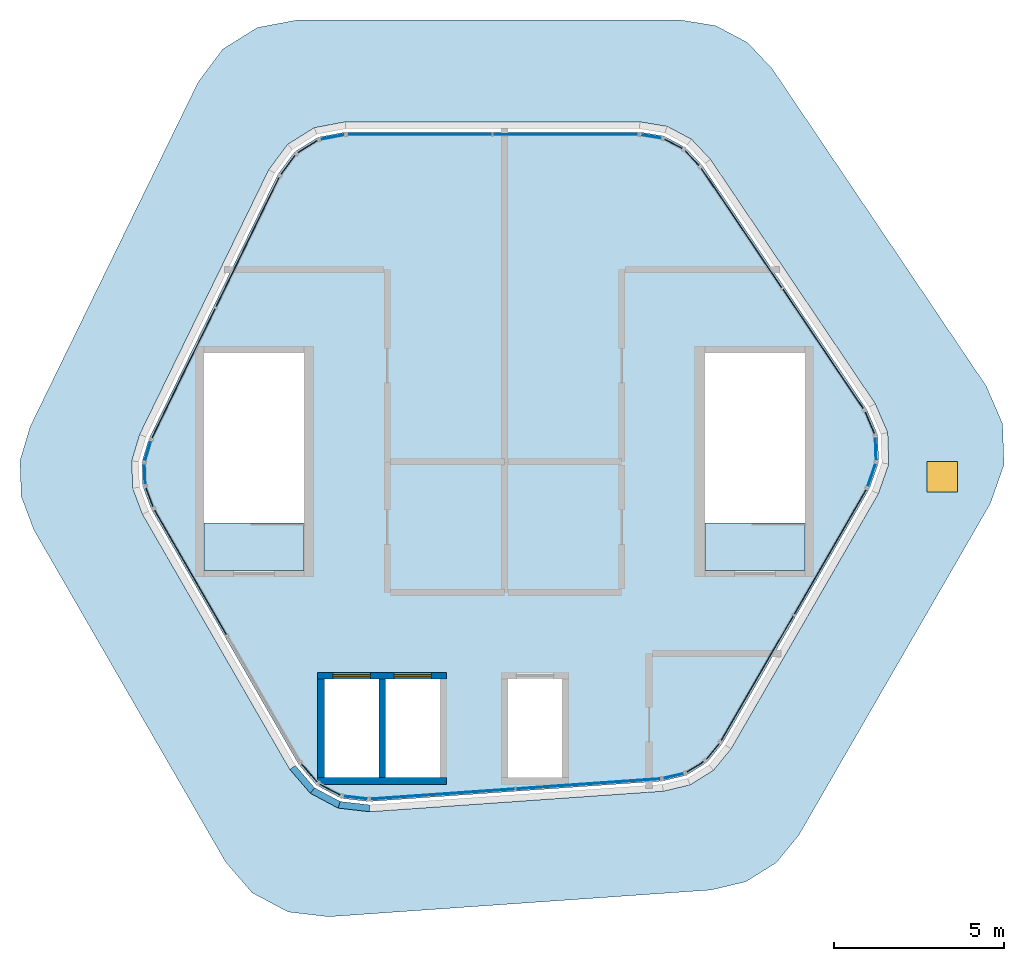
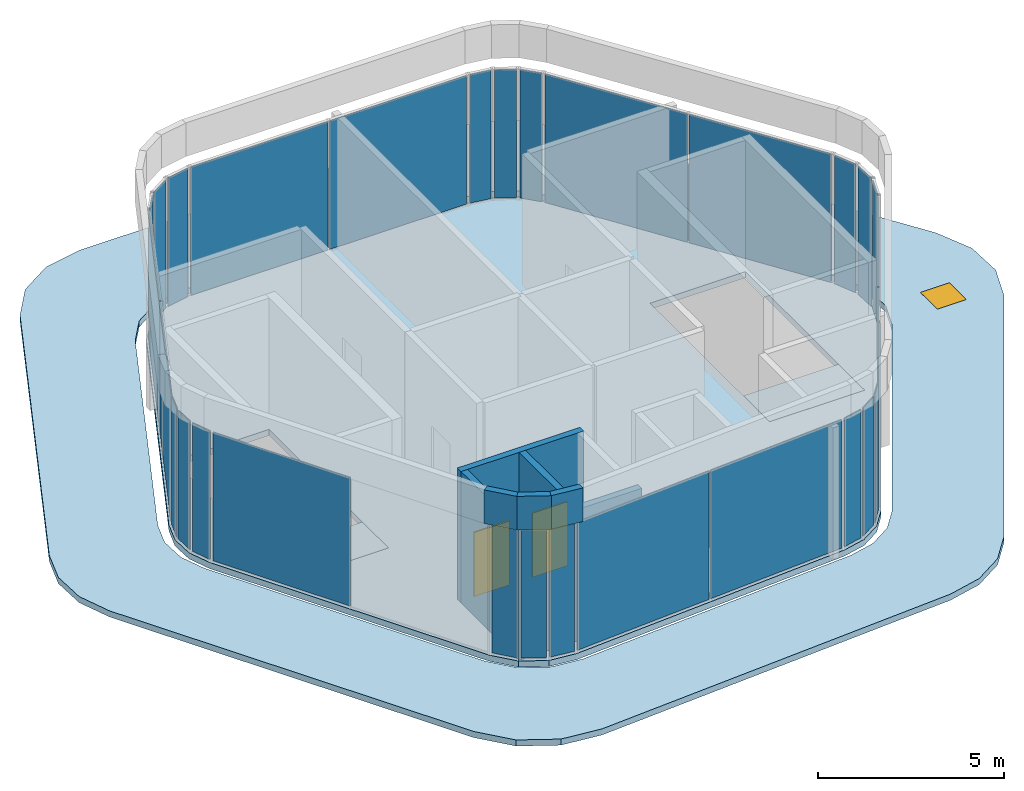
"""IFC4 building model written with IfcOpenShell, lengths in metres."""

from ifc_helpers import new_model, si_unit, direction, frame, frame_2d, origin, origin_2d, place, context, subcontext, project, spatial, polyline, rectangle, outline, extrude, material, layer, layer_set, type_object, element, fill, aggregate, save


model = new_model("IFC4")

# Units and contexts
model_context = context("Model", 3, precision=1e-05, world=origin(), true_north=direction((0.0, 1.0)))
body_context = subcontext(model_context, "Body", "Model", "MODEL_VIEW")
ifc_project = project(units=[si_unit("LENGTHUNIT", "METRE"), si_unit("AREAUNIT", "SQUARE_METRE"), si_unit("VOLUMEUNIT", "CUBIC_METRE"), si_unit("PLANEANGLEUNIT", "RADIAN"), si_unit("MASSUNIT", "GRAM", prefix="KILO")], contexts=[model_context])

# Site, building, storey
site_placement = place(None, origin())
site = spatial("IfcSite", under=ifc_project, at=site_placement, CompositionType="ELEMENT")
building_placement = place(site_placement, origin())
building = spatial("IfcBuilding", under=site, at=building_placement, Name="Tarnside Tower", CompositionType="ELEMENT")
storey_1_placement = place(building_placement, frame((0.0, 0.0, 406.199951171875)))
storey_1 = spatial("IfcBuildingStorey", under=building, at=storey_1_placement, Name="L96", CompositionType="ELEMENT", Elevation=406.199951171875)

# Slabs
ifc_material_1 = material(Name="Concrete C35/45", Category="concrete")
ifc_layer_1 = layer(ifc_material_1, 0.199951171875)
ifc_layer_set_1 = layer_set([ifc_layer_1], Name="Composite floor slab 200")
slab_type_1 = type_object("IfcSlabType", Name="Composite floor slab 200", PredefinedType="FLOOR", material=ifc_layer_set_1)
slab_1_placement = place(storey_1_placement, frame((0.0, 0.0, -0.199951171875)))
element("IfcSlab", 1, at=slab_1_placement, inside=storey_1, type_object=slab_type_1, Name="Floor slab L96", PredefinedType="FLOOR", context=body_context, shape_type="SweptSolid", body=[
    extrude(outline(polyline([(4.69189453125, 9.584228515625), (5.322021484375, 9.249267578125), (5.811767578125, 8.730224609375), (10.662353515625, 1.538818359375), (10.98486328125, 0.791015625), (11.01318359375, -0.02294921875), (10.74365234375, -0.79150390625), (6.406494140625, -8.3037109375), (5.9541015625, -8.85546875), (5.34912109375, -9.233642578125), (4.65478515625, -9.398193359375), (-3.99853515625, -10.00341796875), (-4.807373046875, -9.90869140625), (-5.526611328125, -9.5263671875), (-6.05712890625, -8.90869140625), (-10.394287109375, -1.396484375), (-10.646240234375, -0.728759765625), (-10.671142578125, -0.015625), (-10.46630859375, 0.66796875), (-6.663818359375, 8.46435546875), (-6.177490234375, 9.11767578125), (-5.48681640625, 9.54931640625), (-4.6865234375, 9.699951171875), (3.98779296875, 9.699951171875), (4.69189453125, 9.584228515625)]), holes=[polyline([(-5.300048828125, -6.39990234375), (-5.300048828125, -9.300048828125), (-3.699951171875, -9.300048828125), (-3.699951171875, -6.39990234375), (-5.300048828125, -6.39990234375)]), polyline([(-3.5, -6.39990234375), (-3.5, -9.300048828125), (-1.89990234375, -9.300048828125), (-1.89990234375, -6.39990234375), (-3.5, -6.39990234375)]), polyline([(0.10009765625, -6.39990234375), (0.10009765625, -9.300048828125), (1.699951171875, -9.300048828125), (1.699951171875, -6.39990234375), (0.10009765625, -6.39990234375)]), polyline([(-5.89990234375, 3.199951171875), (-8.85009765625, 3.199951171875), (-8.85009765625, -3.199951171875), (-5.89990234375, -3.199951171875), (-5.89990234375, 3.199951171875)]), polyline([(8.85009765625, 3.199951171875), (5.89990234375, 3.199951171875), (5.89990234375, -3.199951171875), (8.85009765625, -3.199951171875), (8.85009765625, 3.199951171875)])]), origin(), (0.0, 0.0, 1.0), 0.199951171875),
])
ifc_material_2 = material(Name="Concrete C40/50", Category="concrete")
ifc_layer_2 = layer(ifc_material_2, 0.199951171875)
ifc_layer_set_2 = layer_set([ifc_layer_2], Name="Core crown slab C40/50")
slab_type_2 = type_object("IfcSlabType", Name="Core crown slab C40/50", PredefinedType="FLOOR", material=ifc_layer_set_2)
slab_2_placement = place(storey_1_placement, frame((0.0, 0.0, -0.199951171875)))
element("IfcSlab", 2, at=slab_2_placement, inside=storey_1, type_object=slab_type_2, Name="L96 core floor slab 1", PredefinedType="FLOOR", context=body_context, shape_type="SweptSolid", body=[
    extrude(outline(polyline([(8.85009765625, -3.199951171875), (5.89990234375, -3.199951171875), (5.89990234375, 3.199951171875), (5.89990234375, 3.199951171875), (5.89990234375, -1.800048828125), (8.85009765625, -1.800048828125), (8.85009765625, -3.199951171875)])), origin(), (0.0, 0.0, 1.0), 0.199951171875),
])
slab_3_placement = place(storey_1_placement, frame((0.0, 0.0, -0.199951171875)))
element("IfcSlab", 3, at=slab_3_placement, inside=storey_1, type_object=slab_type_2, Name="L96 core floor slab 2", PredefinedType="FLOOR", context=body_context, shape_type="SweptSolid", body=[
    extrude(outline(polyline([(-5.89990234375, -3.199951171875), (-8.85009765625, -3.199951171875), (-8.85009765625, -1.800048828125), (-5.89990234375, -1.800048828125), (-5.89990234375, -3.199951171875)])), origin(), (0.0, 0.0, 1.0), 0.199951171875),
])

# Curtain wall, plate
ifc_material_3 = material(Name="Crown glazing wall", Category="glass")
curtain_wall_type = type_object("IfcCurtainWallType", Name="Crown glazing wall", PredefinedType="NOTDEFINED", material=ifc_material_3)
curtain_wall_1_placement = place(storey_1_placement, origin())
curtain_wall_1 = element("IfcCurtainWall", 4, at=curtain_wall_1_placement, inside=storey_1, type_object=curtain_wall_type, Name="Crown glazing L96 01", PredefinedType="NOTDEFINED")
ifc_material_4 = material(Name="Low-iron safety glass", Category="glass")
ifc_layer_3 = layer(ifc_material_4, 0.028076171875)
ifc_layer_set_3 = layer_set([ifc_layer_3], Name="Crown glazing panel 28")
plate_type_1 = type_object("IfcPlateType", Name="Crown glazing panel 28", PredefinedType="CURTAIN_PANEL", material=ifc_layer_set_3)
plate_1_placement = place(storey_1_placement, frame((4.3193359375, 9.572509765625, 0.05029296875), z_axis=(0.0, 0.0, 1.0), x_axis=(0.986761532213, -0.162177922497, 0.0)))
plate_1 = element("IfcPlate", 5, at=plate_1_placement, type_object=plate_type_1, Name="CW6 panel 1.1", PredefinedType="CURTAIN_PANEL", context=body_context, shape_type="SweptSolid", body=[
    extrude(rectangle(XDim=0.608154296875, YDim=0.028076171875, at=origin_2d()), origin(), (0.0, 0.0, 1.0), 4.199951171875),
])
aggregate(curtain_wall_1, [plate_1])

curtain_wall_2_placement = place(storey_1_placement, origin())
curtain_wall_2 = element("IfcCurtainWall", 6, at=curtain_wall_2_placement, inside=storey_1, type_object=curtain_wall_type, Name="Crown glazing L96 02", PredefinedType="NOTDEFINED")
plate_2_placement = place(storey_1_placement, frame((4.97314453125, 9.353271484375, 0.05029296875), z_axis=(0.0, 0.0, 1.0), x_axis=(0.88294759249, -0.469471563479, 0.0)))
plate_2 = element("IfcPlate", 7, at=plate_2_placement, type_object=plate_type_1, Name="CW6 panel 1.1", PredefinedType="CURTAIN_PANEL", context=body_context, shape_type="SweptSolid", body=[
    extrude(rectangle(XDim=0.58984375, YDim=0.028076171875, at=origin_2d()), origin(), (0.0, 0.0, 1.0), 4.199951171875),
])
aggregate(curtain_wall_2, [plate_2])

curtain_wall_3_placement = place(storey_1_placement, origin())
curtain_wall_3 = element("IfcCurtainWall", 8, at=curtain_wall_3_placement, inside=storey_1, type_object=curtain_wall_type, Name="Crown glazing L96 03", PredefinedType="NOTDEFINED")
plate_3_placement = place(storey_1_placement, frame((5.520751953125, 8.933837890625, 0.05029296875), z_axis=(0.0, 0.0, 1.0), x_axis=(0.686241638283, -0.727373641182, 0.0)))
plate_3 = element("IfcPlate", 9, at=plate_3_placement, type_object=plate_type_1, Name="CW6 panel 1.1", PredefinedType="CURTAIN_PANEL", context=body_context, shape_type="SweptSolid", body=[
    extrude(rectangle(XDim=0.608154296875, YDim=0.028076171875, at=origin_2d()), origin(), (0.0, 0.0, 1.0), 4.199951171875),
])
aggregate(curtain_wall_3, [plate_3])

curtain_wall_4_placement = place(storey_1_placement, origin())
curtain_wall_4 = element("IfcCurtainWall", 10, at=curtain_wall_4_placement, inside=storey_1, type_object=curtain_wall_type, Name="Crown glazing L96 05", PredefinedType="NOTDEFINED")
plate_4_placement = place(storey_1_placement, frame((10.7529296875, 1.145751953125, 0.05029296875), z_axis=(0.0, 0.0, 1.0), x_axis=(0.396079765761, -0.918216107, 0.0)))
plate_4 = element("IfcPlate", 11, at=plate_4_placement, type_object=plate_type_1, Name="CW6 panel 1.1", PredefinedType="CURTAIN_PANEL", context=body_context, shape_type="SweptSolid", body=[
    extrude(rectangle(XDim=0.7080078125, YDim=0.028076171875, at=origin_2d()), origin(), (0.0, 0.0, 1.0), 4.199951171875),
])
aggregate(curtain_wall_4, [plate_4])

curtain_wall_5_placement = place(storey_1_placement, origin())
curtain_wall_5 = element("IfcCurtainWall", 12, at=curtain_wall_5_placement, inside=storey_1, type_object=curtain_wall_type, Name="Crown glazing L96 06", PredefinedType="NOTDEFINED")
plate_5_placement = place(storey_1_placement, frame((10.926513671875, 0.381591796875, 0.05029296875), z_axis=(0.0, 0.0, 1.0), x_axis=(0.034899496092, -0.99939082704, 0.0)))
plate_5 = element("IfcPlate", 13, at=plate_5_placement, type_object=plate_type_1, Name="CW6 panel 1.1", PredefinedType="CURTAIN_PANEL", context=body_context, shape_type="SweptSolid", body=[
    extrude(rectangle(XDim=0.68701171875, YDim=0.028076171875, at=origin_2d()), origin(), (0.0, 0.0, 1.0), 4.199951171875),
])
aggregate(curtain_wall_5, [plate_5])

curtain_wall_6_placement = place(storey_1_placement, origin())
curtain_wall_6 = element("IfcCurtainWall", 14, at=curtain_wall_6_placement, inside=storey_1, type_object=curtain_wall_type, Name="Crown glazing L96 07", PredefinedType="NOTDEFINED")
plate_6_placement = place(storey_1_placement, frame((10.806640625, -0.392822265625, 0.05029296875), z_axis=(0.0, 0.0, 1.0), x_axis=(-0.331063417418, -0.943608506557, 0.0)))
plate_6 = element("IfcPlate", 15, at=plate_6_placement, type_object=plate_type_1, Name="CW6 panel 1.1", PredefinedType="CURTAIN_PANEL", context=body_context, shape_type="SweptSolid", body=[
    extrude(rectangle(XDim=0.7080078125, YDim=0.028076171875, at=origin_2d()), origin(), (0.0, 0.0, 1.0), 4.199951171875),
])
aggregate(curtain_wall_6, [plate_6])

curtain_wall_7_placement = place(storey_1_placement, origin())
curtain_wall_7 = element("IfcCurtainWall", 16, at=curtain_wall_7_placement, inside=storey_1, type_object=curtain_wall_type, Name="Crown glazing L96 09", PredefinedType="NOTDEFINED")
plate_7_placement = place(storey_1_placement, frame((6.13037109375, -8.52685546875, 0.05029296875), z_axis=(0.0, 0.0, 1.0), x_axis=(-0.633830967124, -0.773471592959, 0.0)))
plate_7 = element("IfcPlate", 17, at=plate_7_placement, type_object=plate_type_1, Name="CW6 panel 1.1", PredefinedType="CURTAIN_PANEL", context=body_context, shape_type="SweptSolid", body=[
    extrude(rectangle(XDim=0.608154296875, YDim=0.028076171875, at=origin_2d()), origin(), (0.0, 0.0, 1.0), 4.199951171875),
])
aggregate(curtain_wall_7, [plate_7])

curtain_wall_8_placement = place(storey_1_placement, origin())
curtain_wall_8 = element("IfcCurtainWall", 18, at=curtain_wall_8_placement, inside=storey_1, type_object=curtain_wall_type, Name="Crown glazing L96 10", PredefinedType="NOTDEFINED")
plate_8_placement = place(storey_1_placement, frame((5.613525390625, -8.9833984375, 0.05029296875), z_axis=(0.0, 0.0, 1.0), x_axis=(-0.848048096175, -0.529919264204, 0.0)))
plate_8 = element("IfcPlate", 19, at=plate_8_placement, type_object=plate_type_1, Name="CW6 panel 1.1", PredefinedType="CURTAIN_PANEL", context=body_context, shape_type="SweptSolid", body=[
    extrude(rectangle(XDim=0.58984375, YDim=0.028076171875, at=origin_2d()), origin(), (0.0, 0.0, 1.0), 4.199951171875),
])
aggregate(curtain_wall_8, [plate_8])

curtain_wall_9_placement = place(storey_1_placement, origin())
curtain_wall_9 = element("IfcCurtainWall", 20, at=curtain_wall_9_placement, inside=storey_1, type_object=curtain_wall_type, Name="Crown glazing L96 11", PredefinedType="NOTDEFINED")
plate_9_placement = place(storey_1_placement, frame((4.9765625, -9.248046875, 0.05029296875), z_axis=(0.0, 0.0, 1.0), x_axis=(-0.97304487073, -0.230615870108, 0.0)))
plate_9 = element("IfcPlate", 21, at=plate_9_placement, type_object=plate_type_1, Name="CW6 panel 1.1", PredefinedType="CURTAIN_PANEL", context=body_context, shape_type="SweptSolid", body=[
    extrude(rectangle(XDim=0.608154296875, YDim=0.028076171875, at=origin_2d()), origin(), (0.0, 0.0, 1.0), 4.199951171875),
])
aggregate(curtain_wall_9, [plate_9])

curtain_wall_10_placement = place(storey_1_placement, origin())
curtain_wall_10 = element("IfcCurtainWall", 22, at=curtain_wall_10_placement, inside=storey_1, type_object=curtain_wall_type, Name="Crown glazing L96 13", PredefinedType="NOTDEFINED")
plate_10_placement = place(storey_1_placement, frame((-4.384033203125, -9.885009765625, 0.05029296875), z_axis=(0.0, 0.0, 1.0), x_axis=(-0.993238357729, 0.116092914235, 0.0)))
plate_10 = element("IfcPlate", 23, at=plate_10_placement, type_object=plate_type_1, Name="CW6 panel 1.1", PredefinedType="CURTAIN_PANEL", context=body_context, shape_type="SweptSolid", body=[
    extrude(rectangle(XDim=0.7080078125, YDim=0.028076171875, at=origin_2d()), origin(), (0.0, 0.0, 1.0), 4.199951171875),
])
aggregate(curtain_wall_10, [plate_10])

curtain_wall_11_placement = place(storey_1_placement, origin())
curtain_wall_11 = element("IfcCurtainWall", 24, at=curtain_wall_11_placement, inside=storey_1, type_object=curtain_wall_type, Name="Crown glazing L96 14", PredefinedType="NOTDEFINED")
plate_11_placement = place(storey_1_placement, frame((-5.1328125, -9.653564453125, 0.05029296875), z_axis=(0.0, 0.0, 1.0), x_axis=(-0.88294759299, 0.469471562539, 0.0)))
plate_11 = element("IfcPlate", 25, at=plate_11_placement, type_object=plate_type_1, Name="CW6 panel 1.1", PredefinedType="CURTAIN_PANEL", context=body_context, shape_type="SweptSolid", body=[
    extrude(rectangle(XDim=0.68701171875, YDim=0.028076171875, at=origin_2d()), origin(), (0.0, 0.0, 1.0), 4.199951171875),
])
aggregate(curtain_wall_11, [plate_11])

curtain_wall_12_placement = place(storey_1_placement, origin())
curtain_wall_12 = element("IfcCurtainWall", 26, at=curtain_wall_12_placement, inside=storey_1, type_object=curtain_wall_type, Name="Crown glazing L96 15", PredefinedType="NOTDEFINED")
plate_12_placement = place(storey_1_placement, frame((-5.74365234375, -9.162353515625, 0.05029296875), z_axis=(0.0, 0.0, 1.0), x_axis=(-0.65165722831, 0.758513583789, 0.0)))
plate_12 = element("IfcPlate", 27, at=plate_12_placement, type_object=plate_type_1, Name="CW6 panel 1.1", PredefinedType="CURTAIN_PANEL", context=body_context, shape_type="SweptSolid", body=[
    extrude(rectangle(XDim=0.7080078125, YDim=0.028076171875, at=origin_2d()), origin(), (0.0, 0.0, 1.0), 4.199951171875),
])
aggregate(curtain_wall_12, [plate_12])

curtain_wall_13_placement = place(storey_1_placement, origin())
curtain_wall_13 = element("IfcCurtainWall", 28, at=curtain_wall_13_placement, inside=storey_1, type_object=curtain_wall_type, Name="Crown glazing L96 17", PredefinedType="NOTDEFINED")
plate_13_placement = place(storey_1_placement, frame((-10.44970703125, -1.045654296875, 0.05029296875), z_axis=(0.0, 0.0, 1.0), x_axis=(-0.352930564866, 0.935649515782, 0.0)))
plate_13 = element("IfcPlate", 29, at=plate_13_placement, type_object=plate_type_1, Name="CW6 panel 1.1", PredefinedType="CURTAIN_PANEL", context=body_context, shape_type="SweptSolid", body=[
    extrude(rectangle(XDim=0.608154296875, YDim=0.028076171875, at=origin_2d()), origin(), (0.0, 0.0, 1.0), 4.199951171875),
])
aggregate(curtain_wall_13, [plate_13])

curtain_wall_14_placement = place(storey_1_placement, origin())
curtain_wall_14 = element("IfcCurtainWall", 30, at=curtain_wall_14_placement, inside=storey_1, type_object=curtain_wall_type, Name="Crown glazing L96 18", PredefinedType="NOTDEFINED")
plate_14_placement = place(storey_1_placement, frame((-10.586669921875, -0.36962890625, 0.05029296875), z_axis=(0.0, 0.0, 1.0), x_axis=(-0.034899496929, 0.999390827011, 0.0)))
plate_14 = element("IfcPlate", 31, at=plate_14_placement, type_object=plate_type_1, Name="CW6 panel 1.1", PredefinedType="CURTAIN_PANEL", context=body_context, shape_type="SweptSolid", body=[
    extrude(rectangle(XDim=0.58984375, YDim=0.028076171875, at=origin_2d()), origin(), (0.0, 0.0, 1.0), 4.199951171875),
])
aggregate(curtain_wall_14, [plate_14])

curtain_wall_15_placement = place(storey_1_placement, origin())
curtain_wall_15 = element("IfcCurtainWall", 32, at=curtain_wall_15_placement, inside=storey_1, type_object=curtain_wall_type, Name="Crown glazing L96 19", PredefinedType="NOTDEFINED")
plate_15_placement = place(storey_1_placement, frame((-10.497314453125, 0.314208984375, 0.05029296875), z_axis=(0.0, 0.0, 1.0), x_axis=(0.286803232683, 0.957989512324, 0.0)))
plate_15 = element("IfcPlate", 33, at=plate_15_placement, type_object=plate_type_1, Name="CW6 panel 1.1", PredefinedType="CURTAIN_PANEL", context=body_context, shape_type="SweptSolid", body=[
    extrude(rectangle(XDim=0.608154296875, YDim=0.028076171875, at=origin_2d()), origin(), (0.0, 0.0, 1.0), 4.199951171875),
])
aggregate(curtain_wall_15, [plate_15])

curtain_wall_16_placement = place(storey_1_placement, origin())
curtain_wall_16 = element("IfcCurtainWall", 34, at=curtain_wall_16_placement, inside=storey_1, type_object=curtain_wall_type, Name="Crown glazing L96 21", PredefinedType="NOTDEFINED")
plate_16_placement = place(storey_1_placement, frame((-6.36865234375, 8.7392578125, 0.05029296875), z_axis=(0.0, 0.0, 1.0), x_axis=(0.597158591525, 0.802123192887, 0.0)))
plate_16 = element("IfcPlate", 35, at=plate_16_placement, type_object=plate_type_1, Name="CW6 panel 1.1", PredefinedType="CURTAIN_PANEL", context=body_context, shape_type="SweptSolid", body=[
    extrude(rectangle(XDim=0.7080078125, YDim=0.028076171875, at=origin_2d()), origin(), (0.0, 0.0, 1.0), 4.199951171875),
])
aggregate(curtain_wall_16, [plate_16])

curtain_wall_17_placement = place(storey_1_placement, origin())
curtain_wall_17 = element("IfcCurtainWall", 36, at=curtain_wall_17_placement, inside=storey_1, type_object=curtain_wall_type, Name="Crown glazing L96 22", PredefinedType="NOTDEFINED")
plate_17_placement = place(storey_1_placement, frame((-5.793701171875, 9.27197265625, 0.05029296875), z_axis=(0.0, 0.0, 1.0), x_axis=(0.848048096378, 0.529919263878, 0.0)))
plate_17 = element("IfcPlate", 37, at=plate_17_placement, type_object=plate_type_1, Name="CW6 panel 1.1", PredefinedType="CURTAIN_PANEL", context=body_context, shape_type="SweptSolid", body=[
    extrude(rectangle(XDim=0.68701171875, YDim=0.028076171875, at=origin_2d()), origin(), (0.0, 0.0, 1.0), 4.199951171875),
])
aggregate(curtain_wall_17, [plate_17])

curtain_wall_18_placement = place(storey_1_placement, origin())
curtain_wall_18 = element("IfcCurtainWall", 38, at=curtain_wall_18_placement, inside=storey_1, type_object=curtain_wall_type, Name="Crown glazing L96 23", PredefinedType="NOTDEFINED")
plate_18_placement = place(storey_1_placement, frame((-5.06298828125, 9.55517578125, 0.05029296875), z_axis=(0.0, 0.0, 1.0), x_axis=(0.982720646637, 0.185094923411, 0.0)))
plate_18 = element("IfcPlate", 39, at=plate_18_placement, type_object=plate_type_1, Name="CW6 panel 1.1", PredefinedType="CURTAIN_PANEL", context=body_context, shape_type="SweptSolid", body=[
    extrude(rectangle(XDim=0.7080078125, YDim=0.028076171875, at=origin_2d()), origin(), (0.0, 0.0, 1.0), 4.199951171875),
])
aggregate(curtain_wall_18, [plate_18])

# Curtain wall, plates
curtain_wall_19_placement = place(storey_1_placement, origin())
curtain_wall_19 = element("IfcCurtainWall", 40, at=curtain_wall_19_placement, inside=storey_1, type_object=curtain_wall_type, Name="Crown glazing L96 00", PredefinedType="NOTDEFINED")
ifc_material_5 = material(Name="Insulated aluminium panel", Category="aluminium")
ifc_layer_4 = layer(ifc_material_5, 0.028076171875)
ifc_layer_set_4 = layer_set([ifc_layer_4], Name="Crown glazing spandrel panel 28")
plate_type_2 = type_object("IfcPlateType", Name="Crown glazing spandrel panel 28", PredefinedType="CURTAIN_PANEL", material=ifc_layer_set_4)
plate_19_placement = place(storey_1_placement, frame((-2.49462890625, 9.6298828125, 0.05029296875), z_axis=(0.0, 0.0, 1.0), x_axis=(1.0, 0.0, 0.0)))
plate_19 = element("IfcPlate", 41, at=plate_19_placement, type_object=plate_type_2, Name="CW6 panel 1.1", PredefinedType="CURTAIN_PANEL", context=body_context, shape_type="SweptSolid", body=[
    extrude(rectangle(XDim=4.242919921875, YDim=0.028076171875, at=origin_2d()), origin(), (0.0, 0.0, 1.0), 4.199951171875),
])
plate_20_placement = place(storey_1_placement, frame((1.79833984375, 9.6298828125, 0.05029296875), z_axis=(0.0, 0.0, 1.0), x_axis=(1.0, 0.0, 0.0)))
plate_20 = element("IfcPlate", 42, at=plate_20_placement, type_object=plate_type_2, Name="CW6 panel 2.1", PredefinedType="CURTAIN_PANEL", context=body_context, shape_type="SweptSolid", body=[
    extrude(rectangle(XDim=4.242919921875, YDim=0.028076171875, at=origin_2d()), origin(), (0.0, 0.0, 1.0), 4.199951171875),
])
aggregate(curtain_wall_19, [plate_19, plate_20])

curtain_wall_20_placement = place(storey_1_placement, origin())
curtain_wall_20 = element("IfcCurtainWall", 43, at=curtain_wall_20_placement, inside=storey_1, type_object=curtain_wall_type, Name="Crown glazing L96 04", PredefinedType="NOTDEFINED")
plate_21_placement = place(storey_1_placement, frame((6.97802734375, 6.8759765625, 0.05029296875), z_axis=(0.0, 0.0, 1.0), x_axis=(0.559192903442, -0.829037572575, 0.0)))
plate_21 = element("IfcPlate", 44, at=plate_21_placement, type_object=plate_type_2, Name="CW6 panel 1.1", PredefinedType="CURTAIN_PANEL", context=body_context, shape_type="SweptSolid", body=[
    extrude(rectangle(XDim=4.242919921875, YDim=0.028076171875, at=origin_2d()), origin(), (0.0, 0.0, 1.0), 4.199951171875),
])
plate_22_placement = place(storey_1_placement, frame((9.378662109375, 3.31689453125, 0.05029296875), z_axis=(0.0, 0.0, 1.0), x_axis=(0.559192903442, -0.829037572575, 0.0)))
plate_22 = element("IfcPlate", 45, at=plate_22_placement, type_object=plate_type_2, Name="CW6 panel 2.1", PredefinedType="CURTAIN_PANEL", context=body_context, shape_type="SweptSolid", body=[
    extrude(rectangle(XDim=4.242919921875, YDim=0.028076171875, at=origin_2d()), origin(), (0.0, 0.0, 1.0), 4.199951171875),
])
aggregate(curtain_wall_20, [plate_21, plate_22])

curtain_wall_21_placement = place(storey_1_placement, origin())
curtain_wall_21 = element("IfcCurtainWall", 46, at=curtain_wall_21_placement, inside=storey_1, type_object=curtain_wall_type, Name="Crown glazing L96 08", PredefinedType="NOTDEFINED")
plate_23_placement = place(storey_1_placement, frame((9.587158203125, -2.65478515625, 0.05029296875), z_axis=(0.0, 0.0, 1.0), x_axis=(-0.500000000015, -0.866025403776, 0.0)))
plate_23 = element("IfcPlate", 47, at=plate_23_placement, type_object=plate_type_2, Name="CW6 panel 1.1", PredefinedType="CURTAIN_PANEL", context=body_context, shape_type="SweptSolid", body=[
    extrude(rectangle(XDim=4.242919921875, YDim=0.028076171875, at=origin_2d()), origin(), (0.0, 0.0, 1.0), 4.199951171875),
])
plate_24_placement = place(storey_1_placement, frame((7.440673828125, -6.37255859375, 0.05029296875), z_axis=(0.0, 0.0, 1.0), x_axis=(-0.500000000015, -0.866025403776, 0.0)))
plate_24 = element("IfcPlate", 48, at=plate_24_placement, type_object=plate_type_2, Name="CW6 panel 2.1", PredefinedType="CURTAIN_PANEL", context=body_context, shape_type="SweptSolid", body=[
    extrude(rectangle(XDim=4.242919921875, YDim=0.028076171875, at=origin_2d()), origin(), (0.0, 0.0, 1.0), 4.199951171875),
])
aggregate(curtain_wall_21, [plate_23, plate_24])

curtain_wall_22_placement = place(storey_1_placement, origin())
curtain_wall_22 = element("IfcCurtainWall", 49, at=curtain_wall_22_placement, inside=storey_1, type_object=curtain_wall_type, Name="Crown glazing L96 12", PredefinedType="NOTDEFINED")
plate_25_placement = place(storey_1_placement, frame((2.4658203125, -9.481201171875, 0.05029296875), z_axis=(0.0, 0.0, 1.0), x_axis=(-0.997564050257, -0.069756473779, 0.0)))
plate_25 = element("IfcPlate", 50, at=plate_25_placement, type_object=plate_type_2, Name="CW6 panel 1.1", PredefinedType="CURTAIN_PANEL", context=body_context, shape_type="SweptSolid", body=[
    extrude(rectangle(XDim=4.242919921875, YDim=0.028076171875, at=origin_2d()), origin(), (0.0, 0.0, 1.0), 4.199951171875),
])
plate_26_placement = place(storey_1_placement, frame((-1.816650390625, -9.780517578125, 0.05029296875), z_axis=(0.0, 0.0, 1.0), x_axis=(-0.997564050257, -0.069756473779, 0.0)))
plate_26 = element("IfcPlate", 51, at=plate_26_placement, type_object=plate_type_2, Name="CW6 panel 2.1", PredefinedType="CURTAIN_PANEL", context=body_context, shape_type="SweptSolid", body=[
    extrude(rectangle(XDim=4.242919921875, YDim=0.028076171875, at=origin_2d()), origin(), (0.0, 0.0, 1.0), 4.199951171875),
])
aggregate(curtain_wall_22, [plate_25, plate_26])

# Curtain wall, plate
curtain_wall_23_placement = place(storey_1_placement, origin())
curtain_wall_23 = element("IfcCurtainWall", 52, at=curtain_wall_23_placement, inside=storey_1, type_object=curtain_wall_type, Name="Crown glazing L96 16", PredefinedType="NOTDEFINED")
plate_27_placement = place(storey_1_placement, frame((-9.239013671875, -3.257568359375, 0.05029296875), z_axis=(0.0, 0.0, 1.0), x_axis=(-0.500000000015, 0.866025403776, 0.0)))
plate_27 = element("IfcPlate", 53, at=plate_27_placement, type_object=plate_type_2, Name="CW6 panel 2.1", PredefinedType="CURTAIN_PANEL", context=body_context, shape_type="SweptSolid", body=[
    extrude(rectangle(XDim=4.242919921875, YDim=0.028076171875, at=origin_2d()), origin(), (0.0, 0.0, 1.0), 4.199951171875),
])
aggregate(curtain_wall_23, [plate_27])

# Curtain wall, plates
curtain_wall_24_placement = place(storey_1_placement, origin())
curtain_wall_24 = element("IfcCurtainWall", 54, at=curtain_wall_24_placement, inside=storey_1, type_object=curtain_wall_type, Name="Crown glazing L96 20", PredefinedType="NOTDEFINED")
plate_28_placement = place(storey_1_placement, frame((-9.44384765625, 2.605224609375, 0.05029296875), z_axis=(0.0, 0.0, 1.0), x_axis=(0.43837114682, 0.898794046284, 0.0)))
plate_28 = element("IfcPlate", 55, at=plate_28_placement, type_object=plate_type_2, Name="CW6 panel 1.1", PredefinedType="CURTAIN_PANEL", context=body_context, shape_type="SweptSolid", body=[
    extrude(rectangle(XDim=4.242919921875, YDim=0.028076171875, at=origin_2d()), origin(), (0.0, 0.0, 1.0), 4.199951171875),
])
plate_29_placement = place(storey_1_placement, frame((-7.561767578125, 6.463623046875, 0.05029296875), z_axis=(0.0, 0.0, 1.0), x_axis=(0.43837114682, 0.898794046284, 0.0)))
plate_29 = element("IfcPlate", 56, at=plate_29_placement, type_object=plate_type_2, Name="CW6 panel 2.1", PredefinedType="CURTAIN_PANEL", context=body_context, shape_type="SweptSolid", body=[
    extrude(rectangle(XDim=4.242919921875, YDim=0.028076171875, at=origin_2d()), origin(), (0.0, 0.0, 1.0), 4.199951171875),
])
aggregate(curtain_wall_24, [plate_28, plate_29])

# Slab, opening
ifc_layer_5 = layer(ifc_material_1, 0.199951171875)
ifc_layer_set_5 = layer_set([ifc_layer_5], Name="Setback roof slab 200")
slab_type_3 = type_object("IfcSlabType", Name="Setback roof slab 200", PredefinedType="ROOF", material=ifc_layer_set_5)
slab_4_placement = place(storey_1_placement, frame((0.0, 0.0, -0.199951171875)))
slab_4 = element("IfcSlab", 57, at=slab_4_placement, inside=storey_1, type_object=slab_type_3, Name="Setback roof L95", PredefinedType="ROOF", context=body_context, shape_type="SweptSolid", body=[
    extrude(outline(polyline([(6.224365234375, 12.8291015625), (7.155029296875, 12.334228515625), (7.87841796875, 11.5673828125), (14.184326171875, 2.218505859375), (14.660888671875, 1.114013671875), (14.702880859375, -0.08837890625), (14.3046875, -1.223876953125), (8.666259765625, -10.989501953125), (7.998046875, -11.804931640625), (7.10400390625, -12.363525390625), (6.078369140625, -12.606689453125), (-5.1708984375, -13.393310546875), (-6.36572265625, -13.253662109375), (-7.427978515625, -12.688720703125), (-8.212158203125, -11.776123046875), (-13.850341796875, -2.010498046875), (-14.222412109375, -1.024169921875), (-14.25927734375, 0.029541015625), (-13.95703125, 1.039306640625), (-9.013671875, 11.1748046875), (-8.295166015625, 12.1396484375), (-7.27490234375, 12.77734375), (-6.092529296875, 13.0), (5.18408203125, 13.0), (6.224365234375, 12.8291015625)]), holes=[polyline([(3.98779296875, 10.0), (-4.6865234375, 10.0), (-5.595947265625, 9.82861328125), (-6.380859375, 9.33837890625), (-6.93359375, 8.595947265625), (-10.736083984375, 0.799560546875), (-10.96875, 0.022705078125), (-10.9404296875, -0.787841796875), (-10.654052734375, -1.54638671875), (-6.31689453125, -9.05859375), (-5.7138671875, -9.7607421875), (-4.896728515625, -10.195068359375), (-3.9775390625, -10.302490234375), (4.67578125, -9.697509765625), (5.464599609375, -9.510498046875), (6.15234375, -9.080810546875), (6.666259765625, -8.45361328125), (11.00341796875, -0.94140625), (11.309814453125, -0.068115234375), (11.277587890625, 0.85693359375), (10.9111328125, 1.70654296875), (6.060302734375, 8.89794921875), (5.50390625, 9.48779296875), (4.7880859375, 9.868408203125), (3.98779296875, 10.0)])]), origin(), (0.0, 0.0, 1.0), 0.199951171875),
])
opening_1_placement = place(slab_4_placement, frame((12.880126953125, -0.438232421875, 0.0)))
opening_1 = element("IfcOpeningElement", 58, at=opening_1_placement, cuts=slab_4, Name="Opening RH", PredefinedType="OPENING", context=body_context, shape_type="SweptSolid", body=[
    extrude(rectangle(XDim=0.89990234375, YDim=0.89990234375, at=origin_2d()), origin(), (0.0, 0.0, 1.0), 0.199951171875),
])

# Storey
storey_2_placement = place(building_placement, frame((0.0, 0.0, 401.699951171875)))
storey_2 = spatial("IfcBuildingStorey", under=building, at=storey_2_placement, Name="L95", CompositionType="ELEMENT", Elevation=401.699951171875)

# Door
ifc_material_6 = material(Name="Aluminium alloy 6063", Category="aluminium")
door_type_1 = type_object("IfcDoorType", Name="Roof access hatch 900 x 900", OperationType="NOTDEFINED", PredefinedType="TRAPDOOR", material=ifc_material_6)
door_1_placement = place(opening_1_placement, frame((0.0, 0.0, 0.14990234375)))
door_1 = element("IfcDoor", 59, at=door_1_placement, inside=storey_2, type_object=door_type_1, Name="Roof access hatch", OperationType="SINGLE_SWING_LEFT", OverallHeight=0.89990234375, OverallWidth=0.89990234375, PredefinedType="TRAPDOOR", context=body_context, shape_type="SweptSolid", body=[
    extrude(rectangle(XDim=0.89990234375, YDim=0.89990234375, at=origin_2d()), origin(), (0.0, 0.0, 1.0), 0.050048828125),
])

fill(opening_1, door_1)

# Wall, openings, doors
ifc_layer_6 = layer(ifc_material_2, 0.199951171875)
ifc_layer_set_6 = layer_set([ifc_layer_6], Name="Lift shaft wall 200 C40/50")
wall_type_1 = type_object("IfcWallType", Name="Lift shaft wall 200 C40/50", PredefinedType="SHEAR", material=ifc_layer_set_6)
wall_1_placement = place(storey_1_placement, frame((-5.5, -6.300048828125, -0.199951171875), z_axis=(0.0, 0.0, 1.0), x_axis=(1.0, 0.0, 0.0)))
wall_1 = element("IfcWall", 60, at=wall_1_placement, inside=storey_1, type_object=wall_type_1, Name="L96 lift shaft front wall R4", PredefinedType="SHEAR", context=body_context, shape_type="SweptSolid", body=[
    extrude(rectangle(XDim=3.800048828125, YDim=0.199951171875, at=frame_2d((1.89990234375, 0.0))), origin(), (0.0, 0.0, 1.0), 4.5),
])
opening_2_placement = place(wall_1_placement, frame((0.449951171875, 0.0, 0.199951171875)))
opening_2 = element("IfcOpeningElement", 61, at=opening_2_placement, cuts=wall_1, Name="Opening LDF", PredefinedType="OPENING", context=body_context, shape_type="SweptSolid", body=[
    extrude(rectangle(XDim=1.10009765625, YDim=2.10009765625, at=frame_2d((0.550048828125, 1.050048828125))), frame((0.0, 0.10986328125, 0.0), z_axis=(0.0, -1.0, 0.0), x_axis=(1.0, 0.0, 0.0)), (0.0, 0.0, 1.0), 0.219970703125),
])
opening_3_placement = place(wall_1_placement, frame((2.25, 0.0, 0.199951171875)))
opening_3 = element("IfcOpeningElement", 62, at=opening_3_placement, cuts=wall_1, Name="Opening LDF", PredefinedType="OPENING", context=body_context, shape_type="SweptSolid", body=[
    extrude(rectangle(XDim=1.10009765625, YDim=2.10009765625, at=frame_2d((0.550048828125, 1.050048828125))), frame((0.0, 0.10986328125, 0.0), z_axis=(0.0, -1.0, 0.0), x_axis=(1.0, 0.0, 0.0)), (0.0, 0.0, 1.0), 0.219970703125),
])
ifc_material_7 = material(Name="Stainless steel", Category="steel")
door_type_2 = type_object("IfcDoorType", Name="Lift landing door 1100x2100 EI 120", OperationType="NOTDEFINED", PredefinedType="DOOR", material=ifc_material_7)
door_2_placement = place(opening_2_placement, origin())
door_2 = element("IfcDoor", 63, at=door_2_placement, inside=storey_1, type_object=door_type_2, Name="Firefighting lift 1 landing door L96", OperationType="SLIDING_TO_LEFT", OverallHeight=2.10009765625, OverallWidth=1.10009765625, PredefinedType="DOOR", context=body_context, shape_type="SweptSolid", body=[
    extrude(rectangle(XDim=1.10009765625, YDim=2.10009765625, at=frame_2d((0.550048828125, 1.050048828125))), frame((0.0, 0.02490234375, 0.0), z_axis=(0.0, -1.0, 0.0), x_axis=(1.0, 0.0, 0.0)), (0.0, 0.0, 1.0), 0.050048828125),
])
fill(opening_2, door_2)
door_3_placement = place(opening_3_placement, origin())
door_3 = element("IfcDoor", 64, at=door_3_placement, inside=storey_1, type_object=door_type_2, Name="Firefighting lift 2 landing door L96", OperationType="SLIDING_TO_LEFT", OverallHeight=2.10009765625, OverallWidth=1.10009765625, PredefinedType="DOOR", context=body_context, shape_type="SweptSolid", body=[
    extrude(rectangle(XDim=1.10009765625, YDim=2.10009765625, at=frame_2d((0.550048828125, 1.050048828125))), frame((0.0, 0.02490234375, 0.0), z_axis=(0.0, -1.0, 0.0), x_axis=(1.0, 0.0, 0.0)), (0.0, 0.0, 1.0), 0.050048828125),
])
fill(opening_3, door_3)

# Walls
wall_2_placement = place(storey_1_placement, frame((-5.5, -9.39990234375, -0.199951171875), z_axis=(0.0, 0.0, 1.0), x_axis=(1.0, 0.0, 0.0)))
element("IfcWall", 65, at=wall_2_placement, inside=storey_1, type_object=wall_type_1, Name="L96 lift shaft back wall R4", PredefinedType="SHEAR", context=body_context, shape_type="SweptSolid", body=[
    extrude(rectangle(XDim=3.800048828125, YDim=0.199951171875, at=frame_2d((1.89990234375, 0.0))), origin(), (0.0, 0.0, 1.0), 4.5),
])
for number, where, z_axis, x_axis, name in (
    (66, (-5.39990234375, -9.300048828125, -0.199951171875), (0.0, 0.0, 1.0), (0.0, 1.0, 0.0), "L96 lift shaft partition R41"),
    (67, (-3.60009765625, -9.300048828125, -0.199951171875), (0.0, 0.0, 1.0), (0.0, 1.0, 0.0), "L96 lift shaft partition R42"),
):
    element("IfcWall", number, at=place(storey_1_placement, frame(where, z_axis=z_axis, x_axis=x_axis)), inside=storey_1, type_object=wall_type_1, Name=name, PredefinedType="SHEAR", context=body_context, shape_type="SweptSolid", body=[
        extrude(rectangle(XDim=2.900146484375, YDim=0.199951171875, at=frame_2d((1.4501953125, 0.0))), origin(), (0.0, 0.0, 1.0), 4.5),
    ])
ifc_material_8 = material(Name="Concrete C35/45 precast", Category="concrete")
ifc_layer_7 = layer(ifc_material_8, 0.199951171875)
ifc_layer_set_7 = layer_set([ifc_layer_7], Name="Parapet 200 x 1100")
wall_type_2 = type_object("IfcWallType", Name="Parapet 200 x 1100", PredefinedType="PARAPET", material=ifc_layer_set_7)
wall_3_placement = place(storey_1_placement, frame((-3.97509765625, -10.2021484375, 4.5), z_axis=(0.0, 0.0, 1.0), x_axis=(-0.993230221304, 0.116162504655, 0.0)))
element("IfcWall", 68, at=wall_3_placement, inside=storey_1, type_object=wall_type_2, Name="Roof parapet 13", PredefinedType="PARAPET", context=body_context, shape_type="SweptSolid", body=[
    extrude(outline(polyline([(0.00927734375, -0.10009765625), (0.878662109375, -0.10009765625), (0.916259765625, 0.10009765625), (-0.00927734375, 0.10009765625), (0.00927734375, -0.10009765625)])), origin(), (0.0, 0.0, 1.0), 1.10009765625),
])
wall_4_placement = place(storey_1_placement, frame((-4.866455078125, -10.097900390625, 4.5), z_axis=(0.0, 0.0, 1.0), x_axis=(-0.882983950478, 0.46940317766, 0.0)))
element("IfcWall", 69, at=wall_4_placement, inside=storey_1, type_object=wall_type_2, Name="Roof parapet 14", PredefinedType="PARAPET", context=body_context, shape_type="SweptSolid", body=[
    extrude(outline(polyline([(0.018798828125, -0.10009765625), (0.869140625, -0.10009765625), (0.90673828125, 0.10009765625), (-0.018798828125, 0.10009765625), (0.018798828125, -0.10009765625)])), origin(), (0.0, 0.0, 1.0), 1.10009765625),
])
wall_5_placement = place(storey_1_placement, frame((-5.650390625, -9.68115234375, 4.5), z_axis=(0.0, 0.0, 1.0), x_axis=(-0.651620014532, 0.758545553451, 0.0)))
element("IfcWall", 70, at=wall_5_placement, inside=storey_1, type_object=wall_type_2, Name="Roof parapet 15", PredefinedType="PARAPET", context=body_context, shape_type="SweptSolid", body=[
    extrude(outline(polyline([(0.018798828125, -0.10009765625), (0.887939453125, -0.10009765625), (0.906494140625, 0.10009765625), (-0.018798828125, 0.10009765625), (0.018798828125, -0.10009765625)])), origin(), (0.0, 0.0, 1.0), 1.10009765625),
])

save(model, "model.ifc")
